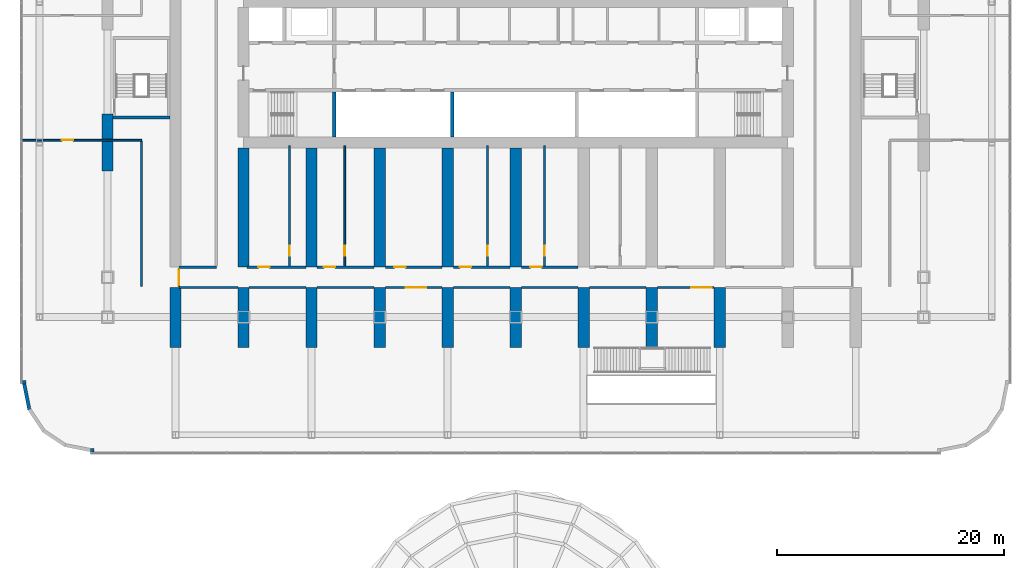
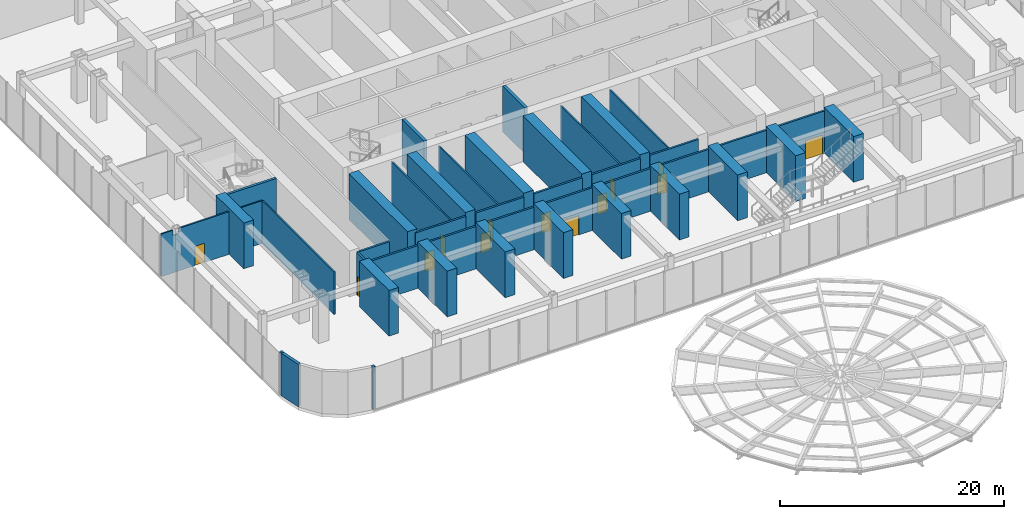
# One storey, part 14 of 37: 42 walls, 13 doors, 13 openings.
"""IFC4 building model written with IfcOpenShell, lengths in metres."""

from ifc_helpers import new_model, si_unit, direction, frame, frame_2d, origin, place, context, subcontext, project, spatial, polyline, rectangle, outline, extrude, material, layer, layer_set, type_object, element, fill, save


model = new_model("IFC4")

# Units and contexts
model_context = context("Model", 3, precision=1e-05, world=origin(), true_north=direction((0.0, 1.0)))
body_context = subcontext(model_context, "Body", "Model", "MODEL_VIEW")
ifc_project = project(units=[si_unit("LENGTHUNIT", "METRE"), si_unit("AREAUNIT", "SQUARE_METRE"), si_unit("VOLUMEUNIT", "CUBIC_METRE"), si_unit("PLANEANGLEUNIT", "RADIAN"), si_unit("MASSUNIT", "GRAM", prefix="KILO")], contexts=[model_context])

# Site, building, storey
site_placement = place(None, origin())
site = spatial("IfcSite", under=ifc_project, at=site_placement, CompositionType="ELEMENT")
building_placement = place(site_placement, origin())
building = spatial("IfcBuilding", under=site, at=building_placement, Name="Orbita Commons", CompositionType="ELEMENT")
storey_placement = place(building_placement, frame((0.0, 0.0, 6.0)))
storey = spatial("IfcBuildingStorey", under=building, at=storey_placement, Name="L01", CompositionType="ELEMENT", Elevation=6.0)

# Walls
ifc_material_1 = material(Name="Concrete C50/60", Category="concrete")
ifc_layer_1 = layer(ifc_material_1, 0.300048828125)
ifc_layer_set_1 = layer_set([ifc_layer_1], Name="Concrete C50/60")
wall_type_1 = type_object("IfcWallType", Name="Core inner wall 300 C50/60", PredefinedType="SHEAR", material=ifc_layer_set_1)
for number, where, z_axis, x_axis, name in (
    (1, (26.0, 26.300048828125, 0.0), (0.0, 0.0, 1.0), (0.0, 1.0, 0.0), "Stair S1 wall L01"),
    (2, (36.39990234375, 26.300048828125, 0.0), (0.0, 0.0, 1.0), (0.0, 1.0, 0.0), "Hoistway division wall L01"),
):
    element("IfcWall", number, at=place(storey_placement, frame(where, z_axis=z_axis, x_axis=x_axis)), inside=storey, type_object=wall_type_1, Name=name, PredefinedType="SHEAR", context=body_context, shape_type="SweptSolid", body=[
        extrude(rectangle(XDim=3.949951171875, YDim=0.300048828125, at=frame_2d((1.97509765625, 0.0))), origin(), (0.0, 0.0, 1.0), 5.0),
    ])
ifc_material_2 = material(Name="Concrete blockwork", Category="masonry")
ifc_layer_2 = layer(ifc_material_2, 0.199951171875)
ifc_layer_set_2 = layer_set([ifc_layer_2], Name="Concrete blockwork")
wall_type_2 = type_object("IfcWallType", Name="Corridor wall 200 blockwork", PredefinedType="SOLIDWALL", material=ifc_layer_set_2)
wall_1_placement = place(storey_placement, frame((12.300048828125, 13.0, 0.0), z_axis=(0.0, 0.0, 1.0), x_axis=(1.0, 0.0, 0.0)))
element("IfcWall", 3, at=wall_1_placement, inside=storey, type_object=wall_type_2, Name="Corridor wall 200 blockwork L01", PredefinedType="SOLIDWALL", context=body_context, shape_type="SweptSolid", body=[
    extrude(rectangle(XDim=5.199951171875, YDim=0.199951171875, at=frame_2d((2.60009765625, 0.0))), origin(), (0.0, 0.0, 1.0), 4.64990234375),
])
for number, where, z_axis, x_axis, name in (
    (4, (18.5, 13.0, 0.0), (0.0, 0.0, 1.0), (1.0, 0.0, 0.0), "Corridor wall 200 blockwork L01"),
    (5, (24.5, 13.0, 0.0), (0.0, 0.0, 1.0), (1.0, 0.0, 0.0), "Corridor wall 200 blockwork L01"),
):
    element("IfcWall", number, at=place(storey_placement, frame(where, z_axis=z_axis, x_axis=x_axis)), inside=storey, type_object=wall_type_2, Name=name, PredefinedType="SOLIDWALL", context=body_context, shape_type="SweptSolid", body=[
        extrude(rectangle(XDim=5.0, YDim=0.199951171875, at=frame_2d((2.5, 0.0))), origin(), (0.0, 0.0, 1.0), 4.64990234375),
    ])

# Wall, opening, door
wall_2_placement = place(storey_placement, frame((30.5, 13.0, 0.0), z_axis=(0.0, 0.0, 1.0), x_axis=(1.0, 0.0, 0.0)))
wall_2 = element("IfcWall", 6, at=wall_2_placement, inside=storey, type_object=wall_type_2, Name="Corridor wall 200 blockwork L01", PredefinedType="SOLIDWALL", context=body_context, shape_type="SweptSolid", body=[
    extrude(rectangle(XDim=5.0, YDim=0.199951171875, at=frame_2d((2.5, 0.0))), origin(), (0.0, 0.0, 1.0), 4.64990234375),
])
opening_1_placement = place(wall_2_placement, frame((1.800048828125, 0.0, 0.0)))
opening_1 = element("IfcOpeningElement", 7, at=opening_1_placement, cuts=wall_2, Name="Opening D07", PredefinedType="OPENING", context=body_context, shape_type="SweptSolid", body=[
    extrude(rectangle(XDim=1.800048828125, YDim=2.10009765625, at=frame_2d((0.89990234375, 1.050048828125))), frame((0.0, 0.10986328125, 0.0), z_axis=(0.0, -1.0, 0.0), x_axis=(1.0, 0.0, 0.0)), (0.0, 0.0, 1.0), 0.219970703125),
])
ifc_material_3 = material(Name="Steel-faced fire door leaf", Category="steel")
door_type_1 = type_object("IfcDoorType", Name="Double corridor door 20 min 1800x2100", OperationType="DOUBLE_DOOR_SINGLE_SWING", PredefinedType="DOOR", material=ifc_material_3)
door_1_placement = place(opening_1_placement, origin())
door_1 = element("IfcDoor", 8, at=door_1_placement, inside=storey, type_object=door_type_1, Name="Hall doors south", OperationType="DOUBLE_DOOR_SINGLE_SWING", OverallHeight=2.10009765625, OverallWidth=1.800048828125, PredefinedType="DOOR", context=body_context, shape_type="SweptSolid", body=[
    extrude(rectangle(XDim=1.800048828125, YDim=2.10009765625, at=frame_2d((0.89990234375, 1.050048828125))), frame((0.0, 0.02490234375, 0.0), z_axis=(0.0, -1.0, 0.0), x_axis=(1.0, 0.0, 0.0)), (0.0, 0.0, 1.0), 0.050048828125),
])
fill(opening_1, door_1)

# Walls
for number, where, z_axis, x_axis, name in (
    (9, (36.5, 13.0, 0.0), (0.0, 0.0, 1.0), (1.0, 0.0, 0.0), "Corridor wall 200 blockwork L01"),
    (10, (42.5, 13.0, 0.0), (0.0, 0.0, 1.0), (1.0, 0.0, 0.0), "Corridor wall 200 blockwork L01"),
    (11, (48.5, 13.0, 0.0), (0.0, 0.0, 1.0), (1.0, 0.0, 0.0), "Corridor wall 200 blockwork L01"),
):
    element("IfcWall", number, at=place(storey_placement, frame(where, z_axis=z_axis, x_axis=x_axis)), inside=storey, type_object=wall_type_2, Name=name, PredefinedType="SOLIDWALL", context=body_context, shape_type="SweptSolid", body=[
        extrude(rectangle(XDim=5.0, YDim=0.199951171875, at=frame_2d((2.5, 0.0))), origin(), (0.0, 0.0, 1.0), 4.64990234375),
    ])

# Wall, opening, door
wall_3_placement = place(storey_placement, frame((54.5, 13.0, 0.0), z_axis=(0.0, 0.0, 1.0), x_axis=(1.0, 0.0, 0.0)))
wall_3 = element("IfcWall", 12, at=wall_3_placement, inside=storey, type_object=wall_type_2, Name="Corridor wall 200 blockwork L01", PredefinedType="SOLIDWALL", context=body_context, shape_type="SweptSolid", body=[
    extrude(rectangle(XDim=5.0, YDim=0.199951171875, at=frame_2d((2.5, 0.0))), origin(), (0.0, 0.0, 1.0), 4.64990234375),
])
opening_2_placement = place(wall_3_placement, frame((3.0, 0.0, 0.0)))
opening_2 = element("IfcOpeningElement", 13, at=opening_2_placement, cuts=wall_3, Name="Opening D07", PredefinedType="OPENING", context=body_context, shape_type="SweptSolid", body=[
    extrude(rectangle(XDim=1.800048828125, YDim=2.10009765625, at=frame_2d((0.89990234375, 1.050048828125))), frame((0.0, 0.10986328125, 0.0), z_axis=(0.0, -1.0, 0.0), x_axis=(1.0, 0.0, 0.0)), (0.0, 0.0, 1.0), 0.219970703125),
])
door_2_placement = place(opening_2_placement, origin())
door_2 = element("IfcDoor", 14, at=door_2_placement, inside=storey, type_object=door_type_1, Name="Hall doors south", OperationType="DOUBLE_DOOR_SINGLE_SWING", OverallHeight=2.10009765625, OverallWidth=1.800048828125, PredefinedType="DOOR", context=body_context, shape_type="SweptSolid", body=[
    extrude(rectangle(XDim=1.800048828125, YDim=2.10009765625, at=frame_2d((0.89990234375, 1.050048828125))), frame((0.0, 0.02490234375, 0.0), z_axis=(0.0, -1.0, 0.0), x_axis=(1.0, 0.0, 0.0)), (0.0, 0.0, 1.0), 0.050048828125),
])
fill(opening_2, door_2)

# Wall
wall_4_placement = place(storey_placement, frame((12.300048828125, 14.800048828125, 0.0), z_axis=(0.0, 0.0, 1.0), x_axis=(1.0, 0.0, 0.0)))
element("IfcWall", 15, at=wall_4_placement, inside=storey, type_object=wall_type_2, Name="Corridor wall 200 blockwork L01", PredefinedType="SOLIDWALL", context=body_context, shape_type="SweptSolid", body=[
    extrude(rectangle(XDim=3.300048828125, YDim=0.199951171875, at=frame_2d((1.64990234375, 0.0))), origin(), (0.0, 0.0, 1.0), 4.64990234375),
])

# Wall, opening, door
wall_5_placement = place(storey_placement, frame((18.300048828125, 14.800048828125, 0.0), z_axis=(0.0, 0.0, 1.0), x_axis=(1.0, 0.0, 0.0)))
wall_5 = element("IfcWall", 16, at=wall_5_placement, inside=storey, type_object=wall_type_2, Name="Corridor wall 200 blockwork L01", PredefinedType="SOLIDWALL", context=body_context, shape_type="SweptSolid", body=[
    extrude(rectangle(XDim=5.199951171875, YDim=0.199951171875, at=frame_2d((2.60009765625, 0.0))), origin(), (0.0, 0.0, 1.0), 4.64990234375),
])
opening_3_placement = place(wall_5_placement, frame((1.0, 0.0, 0.0)))
opening_3 = element("IfcOpeningElement", 17, at=opening_3_placement, cuts=wall_5, Name="Opening D06", PredefinedType="OPENING", context=body_context, shape_type="SweptSolid", body=[
    extrude(rectangle(XDim=1.0, YDim=2.10009765625, at=frame_2d((0.5, 1.050048828125))), frame((0.0, 0.10986328125, 0.0), z_axis=(0.0, -1.0, 0.0), x_axis=(1.0, 0.0, 0.0)), (0.0, 0.0, 1.0), 0.219970703125),
])
ifc_material_4 = material(Name="Steel-faced fire door leaf", Category="steel")
door_type_2 = type_object("IfcDoorType", Name="Corridor door 20 min 1000x2100", OperationType="SINGLE_SWING_LEFT", PredefinedType="DOOR", material=ifc_material_4)
door_3_placement = place(opening_3_placement, origin())
door_3 = element("IfcDoor", 18, at=door_3_placement, inside=storey, type_object=door_type_2, Name="Room door", OperationType="SINGLE_SWING_LEFT", OverallHeight=2.10009765625, OverallWidth=1.0, PredefinedType="DOOR", context=body_context, shape_type="SweptSolid", body=[
    extrude(rectangle(XDim=1.0, YDim=2.10009765625, at=frame_2d((0.5, 1.050048828125))), frame((0.0, 0.02490234375, 0.0), z_axis=(0.0, -1.0, 0.0), x_axis=(1.0, 0.0, 0.0)), (0.0, 0.0, 1.0), 0.050048828125),
])
fill(opening_3, door_3)

wall_6_placement = place(storey_placement, frame((24.5, 14.800048828125, 0.0), z_axis=(0.0, 0.0, 1.0), x_axis=(1.0, 0.0, 0.0)))
wall_6 = element("IfcWall", 19, at=wall_6_placement, inside=storey, type_object=wall_type_2, Name="Corridor wall 200 blockwork L01", PredefinedType="SOLIDWALL", context=body_context, shape_type="SweptSolid", body=[
    extrude(rectangle(XDim=5.0, YDim=0.199951171875, at=frame_2d((2.5, 0.0))), origin(), (0.0, 0.0, 1.0), 4.64990234375),
])
opening_4_placement = place(wall_6_placement, frame((0.574951171875, 0.0, 0.0)))
opening_4 = element("IfcOpeningElement", 20, at=opening_4_placement, cuts=wall_6, Name="Opening D06", PredefinedType="OPENING", context=body_context, shape_type="SweptSolid", body=[
    extrude(rectangle(XDim=1.0, YDim=2.10009765625, at=frame_2d((0.5, 1.050048828125))), frame((0.0, 0.10986328125, 0.0), z_axis=(0.0, -1.0, 0.0), x_axis=(1.0, 0.0, 0.0)), (0.0, 0.0, 1.0), 0.219970703125),
])
door_4_placement = place(opening_4_placement, origin())
door_4 = element("IfcDoor", 21, at=door_4_placement, inside=storey, type_object=door_type_2, Name="Room door", OperationType="SINGLE_SWING_LEFT", OverallHeight=2.10009765625, OverallWidth=1.0, PredefinedType="DOOR", context=body_context, shape_type="SweptSolid", body=[
    extrude(rectangle(XDim=1.0, YDim=2.10009765625, at=frame_2d((0.5, 1.050048828125))), frame((0.0, 0.02490234375, 0.0), z_axis=(0.0, -1.0, 0.0), x_axis=(1.0, 0.0, 0.0)), (0.0, 0.0, 1.0), 0.050048828125),
])
fill(opening_4, door_4)

wall_7_placement = place(storey_placement, frame((30.5, 14.800048828125, 0.0), z_axis=(0.0, 0.0, 1.0), x_axis=(1.0, 0.0, 0.0)))
wall_7 = element("IfcWall", 22, at=wall_7_placement, inside=storey, type_object=wall_type_2, Name="Corridor wall 200 blockwork L01", PredefinedType="SOLIDWALL", context=body_context, shape_type="SweptSolid", body=[
    extrude(rectangle(XDim=5.0, YDim=0.199951171875, at=frame_2d((2.5, 0.0))), origin(), (0.0, 0.0, 1.0), 4.64990234375),
])
opening_5_placement = place(wall_7_placement, frame((0.800048828125, 0.0, 0.0)))
opening_5 = element("IfcOpeningElement", 23, at=opening_5_placement, cuts=wall_7, Name="Opening D06", PredefinedType="OPENING", context=body_context, shape_type="SweptSolid", body=[
    extrude(rectangle(XDim=1.0, YDim=2.10009765625, at=frame_2d((0.5, 1.050048828125))), frame((0.0, 0.10986328125, 0.0), z_axis=(0.0, -1.0, 0.0), x_axis=(1.0, 0.0, 0.0)), (0.0, 0.0, 1.0), 0.219970703125),
])
door_5_placement = place(opening_5_placement, origin())
door_5 = element("IfcDoor", 24, at=door_5_placement, inside=storey, type_object=door_type_2, Name="Room door", OperationType="SINGLE_SWING_LEFT", OverallHeight=2.10009765625, OverallWidth=1.0, PredefinedType="DOOR", context=body_context, shape_type="SweptSolid", body=[
    extrude(rectangle(XDim=1.0, YDim=2.10009765625, at=frame_2d((0.5, 1.050048828125))), frame((0.0, 0.02490234375, 0.0), z_axis=(0.0, -1.0, 0.0), x_axis=(1.0, 0.0, 0.0)), (0.0, 0.0, 1.0), 0.050048828125),
])
fill(opening_5, door_5)

wall_8_placement = place(storey_placement, frame((36.5, 14.800048828125, 0.0), z_axis=(0.0, 0.0, 1.0), x_axis=(1.0, 0.0, 0.0)))
wall_8 = element("IfcWall", 25, at=wall_8_placement, inside=storey, type_object=wall_type_2, Name="Corridor wall 200 blockwork L01", PredefinedType="SOLIDWALL", context=body_context, shape_type="SweptSolid", body=[
    extrude(rectangle(XDim=5.0, YDim=0.199951171875, at=frame_2d((2.5, 0.0))), origin(), (0.0, 0.0, 1.0), 4.64990234375),
])
opening_6_placement = place(wall_8_placement, frame((0.574951171875, 0.0, 0.0)))
opening_6 = element("IfcOpeningElement", 26, at=opening_6_placement, cuts=wall_8, Name="Opening D06", PredefinedType="OPENING", context=body_context, shape_type="SweptSolid", body=[
    extrude(rectangle(XDim=1.0, YDim=2.10009765625, at=frame_2d((0.5, 1.050048828125))), frame((0.0, 0.10986328125, 0.0), z_axis=(0.0, -1.0, 0.0), x_axis=(1.0, 0.0, 0.0)), (0.0, 0.0, 1.0), 0.219970703125),
])
door_6_placement = place(opening_6_placement, origin())
door_6 = element("IfcDoor", 27, at=door_6_placement, inside=storey, type_object=door_type_2, Name="Room door", OperationType="SINGLE_SWING_LEFT", OverallHeight=2.10009765625, OverallWidth=1.0, PredefinedType="DOOR", context=body_context, shape_type="SweptSolid", body=[
    extrude(rectangle(XDim=1.0, YDim=2.10009765625, at=frame_2d((0.5, 1.050048828125))), frame((0.0, 0.02490234375, 0.0), z_axis=(0.0, -1.0, 0.0), x_axis=(1.0, 0.0, 0.0)), (0.0, 0.0, 1.0), 0.050048828125),
])
fill(opening_6, door_6)

wall_9_placement = place(storey_placement, frame((42.5, 14.800048828125, 0.0), z_axis=(0.0, 0.0, 1.0), x_axis=(1.0, 0.0, 0.0)))
wall_9 = element("IfcWall", 28, at=wall_9_placement, inside=storey, type_object=wall_type_2, Name="Corridor wall 200 blockwork L01", PredefinedType="SOLIDWALL", context=body_context, shape_type="SweptSolid", body=[
    extrude(rectangle(XDim=5.0, YDim=0.199951171875, at=frame_2d((2.5, 0.0))), origin(), (0.0, 0.0, 1.0), 4.64990234375),
])
opening_7_placement = place(wall_9_placement, frame((0.800048828125, 0.0, 0.0)))
opening_7 = element("IfcOpeningElement", 29, at=opening_7_placement, cuts=wall_9, Name="Opening D06", PredefinedType="OPENING", context=body_context, shape_type="SweptSolid", body=[
    extrude(rectangle(XDim=1.0, YDim=2.10009765625, at=frame_2d((0.5, 1.050048828125))), frame((0.0, 0.10986328125, 0.0), z_axis=(0.0, -1.0, 0.0), x_axis=(1.0, 0.0, 0.0)), (0.0, 0.0, 1.0), 0.219970703125),
])
door_7_placement = place(opening_7_placement, origin())
door_7 = element("IfcDoor", 30, at=door_7_placement, inside=storey, type_object=door_type_2, Name="Room door", OperationType="SINGLE_SWING_LEFT", OverallHeight=2.10009765625, OverallWidth=1.0, PredefinedType="DOOR", context=body_context, shape_type="SweptSolid", body=[
    extrude(rectangle(XDim=1.0, YDim=2.10009765625, at=frame_2d((0.5, 1.050048828125))), frame((0.0, 0.02490234375, 0.0), z_axis=(0.0, -1.0, 0.0), x_axis=(1.0, 0.0, 0.0)), (0.0, 0.0, 1.0), 0.050048828125),
])
fill(opening_7, door_7)

wall_10_placement = place(storey_placement, frame((12.300048828125, 13.10009765625, 0.0), z_axis=(0.0, 0.0, 1.0), x_axis=(0.0, 1.0, 0.0)))
wall_10 = element("IfcWall", 31, at=wall_10_placement, inside=storey, type_object=wall_type_2, Name="Corridor wall 200 blockwork L01", PredefinedType="SOLIDWALL", context=body_context, shape_type="SweptSolid", body=[
    extrude(rectangle(XDim=1.599853515625, YDim=0.199951171875, at=frame_2d((0.7998046875, 0.0))), origin(), (0.0, 0.0, 1.0), 4.64990234375),
])
opening_8_placement = place(wall_10_placement, frame((0.10009765625, 0.0, 0.0)))
opening_8 = element("IfcOpeningElement", 32, at=opening_8_placement, cuts=wall_10, Name="Opening D08", PredefinedType="OPENING", context=body_context, shape_type="SweptSolid", body=[
    extrude(rectangle(XDim=1.39990234375, YDim=2.10009765625, at=frame_2d((0.699951171875, 1.050048828125))), frame((0.0, 0.10986328125, 0.0), z_axis=(0.0, -1.0, 0.0), x_axis=(1.0, 0.0, 0.0)), (0.0, 0.0, 1.0), 0.219970703125),
])
ifc_material_5 = material(Name="Steel-faced fire door leaf", Category="steel")
door_type_3 = type_object("IfcDoorType", Name="Double corridor door 20 min 1400x2100", OperationType="DOUBLE_DOOR_SINGLE_SWING", PredefinedType="DOOR", material=ifc_material_5)
door_8_placement = place(opening_8_placement, origin())
door_8 = element("IfcDoor", 33, at=door_8_placement, inside=storey, type_object=door_type_3, Name="End room doors", OperationType="DOUBLE_DOOR_SINGLE_SWING", OverallHeight=2.10009765625, OverallWidth=1.39990234375, PredefinedType="DOOR", context=body_context, shape_type="SweptSolid", body=[
    extrude(rectangle(XDim=1.39990234375, YDim=2.10009765625, at=frame_2d((0.699951171875, 1.050048828125))), frame((0.0, 0.02490234375, 0.0), z_axis=(0.0, -1.0, 0.0), x_axis=(1.0, 0.0, 0.0)), (0.0, 0.0, 1.0), 0.050048828125),
])
fill(opening_8, door_8)

# Walls
ifc_material_6 = material(Name="Concrete C50/60", Category="concrete")
ifc_layer_3 = layer(ifc_material_6, 1.0)
ifc_layer_set_3 = layer_set([ifc_layer_3], Name="Concrete C50/60")
wall_type_3 = type_object("IfcWallType", Name="Cross wall 1000 C50/60", PredefinedType="SHEAR", material=ifc_layer_set_3)
for number, where, z_axis, x_axis, name in (
    (34, (12.0, 7.699951171875, 0.0), (0.0, 0.0, 1.0), (0.0, 1.0, 0.0), "Cross wall 3 south outer L01"),
    (35, (18.0, 7.699951171875, 0.0), (0.0, 0.0, 1.0), (0.0, 1.0, 0.0), "Cross wall 4 south outer L01"),
):
    element("IfcWall", number, at=place(storey_placement, frame(where, z_axis=z_axis, x_axis=x_axis)), inside=storey, type_object=wall_type_3, Name=name, PredefinedType="SHEAR", context=body_context, shape_type="SweptSolid", body=[
        extrude(rectangle(XDim=5.300048828125, YDim=1.0, at=frame_2d((2.64990234375, 0.0))), origin(), (0.0, 0.0, 1.0), 5.0),
    ])
wall_11_placement = place(storey_placement, frame((18.0, 14.800048828125, 0.0), z_axis=(0.0, 0.0, 1.0), x_axis=(0.0, 1.0, 0.0)))
element("IfcWall", 36, at=wall_11_placement, inside=storey, type_object=wall_type_3, Name="Cross wall 4 south inner L01", PredefinedType="SHEAR", context=body_context, shape_type="SweptSolid", body=[
    extrude(rectangle(XDim=10.5, YDim=1.0, at=frame_2d((5.25, 0.0))), origin(), (0.0, 0.0, 1.0), 5.0),
])
wall_12_placement = place(storey_placement, frame((24.0, 7.699951171875, 0.0), z_axis=(0.0, 0.0, 1.0), x_axis=(0.0, 1.0, 0.0)))
element("IfcWall", 37, at=wall_12_placement, inside=storey, type_object=wall_type_3, Name="Cross wall 5 south outer L01", PredefinedType="SHEAR", context=body_context, shape_type="SweptSolid", body=[
    extrude(rectangle(XDim=5.300048828125, YDim=1.0, at=frame_2d((2.64990234375, 0.0))), origin(), (0.0, 0.0, 1.0), 5.0),
])
wall_13_placement = place(storey_placement, frame((24.0, 14.800048828125, 0.0), z_axis=(0.0, 0.0, 1.0), x_axis=(0.0, 1.0, 0.0)))
element("IfcWall", 38, at=wall_13_placement, inside=storey, type_object=wall_type_3, Name="Cross wall 5 south inner L01", PredefinedType="SHEAR", context=body_context, shape_type="SweptSolid", body=[
    extrude(rectangle(XDim=10.5, YDim=1.0, at=frame_2d((5.25, 0.0))), origin(), (0.0, 0.0, 1.0), 5.0),
])
wall_14_placement = place(storey_placement, frame((30.0, 7.699951171875, 0.0), z_axis=(0.0, 0.0, 1.0), x_axis=(0.0, 1.0, 0.0)))
element("IfcWall", 39, at=wall_14_placement, inside=storey, type_object=wall_type_3, Name="Cross wall 6 south outer L01", PredefinedType="SHEAR", context=body_context, shape_type="SweptSolid", body=[
    extrude(rectangle(XDim=5.300048828125, YDim=1.0, at=frame_2d((2.64990234375, 0.0))), origin(), (0.0, 0.0, 1.0), 5.0),
])
wall_15_placement = place(storey_placement, frame((30.0, 14.800048828125, 0.0), z_axis=(0.0, 0.0, 1.0), x_axis=(0.0, 1.0, 0.0)))
element("IfcWall", 40, at=wall_15_placement, inside=storey, type_object=wall_type_3, Name="Cross wall 6 south inner L01", PredefinedType="SHEAR", context=body_context, shape_type="SweptSolid", body=[
    extrude(rectangle(XDim=10.5, YDim=1.0, at=frame_2d((5.25, 0.0))), origin(), (0.0, 0.0, 1.0), 5.0),
])
wall_16_placement = place(storey_placement, frame((36.0, 7.699951171875, 0.0), z_axis=(0.0, 0.0, 1.0), x_axis=(0.0, 1.0, 0.0)))
element("IfcWall", 41, at=wall_16_placement, inside=storey, type_object=wall_type_3, Name="Cross wall 7 south outer L01", PredefinedType="SHEAR", context=body_context, shape_type="SweptSolid", body=[
    extrude(rectangle(XDim=5.300048828125, YDim=1.0, at=frame_2d((2.64990234375, 0.0))), origin(), (0.0, 0.0, 1.0), 5.0),
])
wall_17_placement = place(storey_placement, frame((36.0, 14.800048828125, 0.0), z_axis=(0.0, 0.0, 1.0), x_axis=(0.0, 1.0, 0.0)))
element("IfcWall", 42, at=wall_17_placement, inside=storey, type_object=wall_type_3, Name="Cross wall 7 south inner L01", PredefinedType="SHEAR", context=body_context, shape_type="SweptSolid", body=[
    extrude(rectangle(XDim=10.5, YDim=1.0, at=frame_2d((5.25, 0.0))), origin(), (0.0, 0.0, 1.0), 5.0),
])
wall_18_placement = place(storey_placement, frame((42.0, 7.699951171875, 0.0), z_axis=(0.0, 0.0, 1.0), x_axis=(0.0, 1.0, 0.0)))
element("IfcWall", 43, at=wall_18_placement, inside=storey, type_object=wall_type_3, Name="Cross wall 8 south outer L01", PredefinedType="SHEAR", context=body_context, shape_type="SweptSolid", body=[
    extrude(rectangle(XDim=5.300048828125, YDim=1.0, at=frame_2d((2.64990234375, 0.0))), origin(), (0.0, 0.0, 1.0), 5.0),
])
wall_19_placement = place(storey_placement, frame((42.0, 14.800048828125, 0.0), z_axis=(0.0, 0.0, 1.0), x_axis=(0.0, 1.0, 0.0)))
element("IfcWall", 44, at=wall_19_placement, inside=storey, type_object=wall_type_3, Name="Cross wall 8 south inner L01", PredefinedType="SHEAR", context=body_context, shape_type="SweptSolid", body=[
    extrude(rectangle(XDim=10.5, YDim=1.0, at=frame_2d((5.25, 0.0))), origin(), (0.0, 0.0, 1.0), 5.0),
])
for number, where, z_axis, x_axis, name in (
    (45, (48.0, 7.699951171875, 0.0), (0.0, 0.0, 1.0), (0.0, 1.0, 0.0), "Cross wall 9 south outer L01"),
    (46, (54.0, 7.699951171875, 0.0), (0.0, 0.0, 1.0), (0.0, 1.0, 0.0), "Cross wall 10 south outer L01"),
    (47, (60.0, 7.699951171875, 0.0), (0.0, 0.0, 1.0), (0.0, 1.0, 0.0), "Cross wall 11 south outer L01"),
):
    element("IfcWall", number, at=place(storey_placement, frame(where, z_axis=z_axis, x_axis=x_axis)), inside=storey, type_object=wall_type_3, Name=name, PredefinedType="SHEAR", context=body_context, shape_type="SweptSolid", body=[
        extrude(rectangle(XDim=5.300048828125, YDim=1.0, at=frame_2d((2.64990234375, 0.0))), origin(), (0.0, 0.0, 1.0), 5.0),
    ])
ifc_material_7 = material(Name="Concrete C50/60", Category="concrete")
ifc_layer_4 = layer(ifc_material_7, 1.0)
ifc_layer_set_4 = layer_set([ifc_layer_4], Name="Concrete C50/60")
wall_type_4 = type_object("IfcWallType", Name="End pier 1000x5000 C50/60", PredefinedType="SHEAR", material=ifc_layer_set_4)
wall_20_placement = place(storey_placement, frame((6.0, 23.300048828125, 0.0), z_axis=(0.0, 0.0, 1.0), x_axis=(0.0, 1.0, 0.0)))
element("IfcWall", 48, at=wall_20_placement, inside=storey, type_object=wall_type_4, Name="End pier 2/C L01", PredefinedType="SHEAR", context=body_context, shape_type="SweptSolid", body=[
    extrude(rectangle(XDim=5.0, YDim=1.0, at=frame_2d((2.5, 0.0))), origin(), (0.0, 0.0, 1.0), 5.0),
])

# Wall, opening, door
ifc_material_8 = material(Name="Gypsum plasterboard on steel studs", Category="steel")
ifc_layer_5 = layer(ifc_material_8, 0.14990234375)
ifc_layer_set_5 = layer_set([ifc_layer_5], Name="Gypsum plasterboard on steel studs")
wall_type_5 = type_object("IfcWallType", Name="Partition 150 plasterboard", PredefinedType="PARTITIONING", material=ifc_layer_set_5)
wall_21_placement = place(storey_placement, frame((22.050048828125, 14.800048828125, 0.0), z_axis=(0.0, 0.0, 1.0), x_axis=(0.0, 1.0, 0.0)))
wall_21 = element("IfcWall", 49, at=wall_21_placement, inside=storey, type_object=wall_type_5, Name="Partition 150 plasterboard L01", PredefinedType="PARTITIONING", context=body_context, shape_type="SweptSolid", body=[
    extrude(rectangle(XDim=10.699951171875, YDim=0.14990234375, at=frame_2d((5.35009765625, 0.0))), origin(), (0.0, 0.0, 1.0), 4.64990234375),
])
opening_9_placement = place(wall_21_placement, frame((1.0, 0.0, 0.0)))
opening_9 = element("IfcOpeningElement", 50, at=opening_9_placement, cuts=wall_21, Name="Opening D09", PredefinedType="OPENING", context=body_context, shape_type="SweptSolid", body=[
    extrude(rectangle(XDim=0.89990234375, YDim=2.10009765625, at=frame_2d((0.449951171875, 1.050048828125))), frame((0.0, 0.0849609375, 0.0), z_axis=(0.0, -1.0, 0.0), x_axis=(1.0, 0.0, 0.0)), (0.0, 0.0, 1.0), 0.169921875),
])
ifc_material_9 = material(Name="Laminated timber door leaf", Category="wood")
door_type_4 = type_object("IfcDoorType", Name="En-suite door 900x2100", OperationType="SINGLE_SWING_RIGHT", PredefinedType="DOOR", material=ifc_material_9)
door_9_placement = place(opening_9_placement, origin())
door_9 = element("IfcDoor", 51, at=door_9_placement, inside=storey, type_object=door_type_4, Name="Food hall servery store L01 door", OperationType="SINGLE_SWING_RIGHT", OverallHeight=2.10009765625, OverallWidth=0.89990234375, PredefinedType="DOOR", context=body_context, shape_type="SweptSolid", body=[
    extrude(rectangle(XDim=0.89990234375, YDim=2.10009765625, at=frame_2d((0.449951171875, 1.050048828125))), frame((0.0, 0.02490234375, 0.0), z_axis=(0.0, -1.0, 0.0), x_axis=(1.0, 0.0, 0.0)), (0.0, 0.0, 1.0), 0.050048828125),
])
fill(opening_9, door_9)

wall_22_placement = place(storey_placement, frame((26.925048828125, 14.800048828125, 0.0), z_axis=(0.0, 0.0, 1.0), x_axis=(0.0, 1.0, 0.0)))
wall_22 = element("IfcWall", 52, at=wall_22_placement, inside=storey, type_object=wall_type_5, Name="Partition 150 plasterboard L01", PredefinedType="PARTITIONING", context=body_context, shape_type="SweptSolid", body=[
    extrude(rectangle(XDim=10.699951171875, YDim=0.14990234375, at=frame_2d((5.35009765625, 0.0))), origin(), (0.0, 0.0, 1.0), 4.64990234375),
])
opening_10_placement = place(wall_22_placement, frame((1.0, 0.0, 0.0)))
opening_10 = element("IfcOpeningElement", 53, at=opening_10_placement, cuts=wall_22, Name="Opening D09", PredefinedType="OPENING", context=body_context, shape_type="SweptSolid", body=[
    extrude(rectangle(XDim=0.89990234375, YDim=2.10009765625, at=frame_2d((0.449951171875, 1.050048828125))), frame((0.0, 0.0849609375, 0.0), z_axis=(0.0, -1.0, 0.0), x_axis=(1.0, 0.0, 0.0)), (0.0, 0.0, 1.0), 0.169921875),
])
door_10_placement = place(opening_10_placement, origin())
door_10 = element("IfcDoor", 54, at=door_10_placement, inside=storey, type_object=door_type_4, Name="Food hall furniture store L01 door", OperationType="SINGLE_SWING_RIGHT", OverallHeight=2.10009765625, OverallWidth=0.89990234375, PredefinedType="DOOR", context=body_context, shape_type="SweptSolid", body=[
    extrude(rectangle(XDim=0.89990234375, YDim=2.10009765625, at=frame_2d((0.449951171875, 1.050048828125))), frame((0.0, 0.02490234375, 0.0), z_axis=(0.0, -1.0, 0.0), x_axis=(1.0, 0.0, 0.0)), (0.0, 0.0, 1.0), 0.050048828125),
])
fill(opening_10, door_10)

wall_23_placement = place(storey_placement, frame((39.52490234375, 14.800048828125, 0.0), z_axis=(0.0, 0.0, 1.0), x_axis=(0.0, 1.0, 0.0)))
wall_23 = element("IfcWall", 55, at=wall_23_placement, inside=storey, type_object=wall_type_5, Name="Partition 150 plasterboard L01", PredefinedType="PARTITIONING", context=body_context, shape_type="SweptSolid", body=[
    extrude(rectangle(XDim=10.699951171875, YDim=0.14990234375, at=frame_2d((5.35009765625, 0.0))), origin(), (0.0, 0.0, 1.0), 4.64990234375),
])
opening_11_placement = place(wall_23_placement, frame((1.0, 0.0, 0.0)))
opening_11 = element("IfcOpeningElement", 56, at=opening_11_placement, cuts=wall_23, Name="Opening D09", PredefinedType="OPENING", context=body_context, shape_type="SweptSolid", body=[
    extrude(rectangle(XDim=0.89990234375, YDim=2.10009765625, at=frame_2d((0.449951171875, 1.050048828125))), frame((0.0, 0.0849609375, 0.0), z_axis=(0.0, -1.0, 0.0), x_axis=(1.0, 0.0, 0.0)), (0.0, 0.0, 1.0), 0.169921875),
])
door_11_placement = place(opening_11_placement, origin())
door_11 = element("IfcDoor", 57, at=door_11_placement, inside=storey, type_object=door_type_4, Name="Stationery store L01 door", OperationType="SINGLE_SWING_RIGHT", OverallHeight=2.10009765625, OverallWidth=0.89990234375, PredefinedType="DOOR", context=body_context, shape_type="SweptSolid", body=[
    extrude(rectangle(XDim=0.89990234375, YDim=2.10009765625, at=frame_2d((0.449951171875, 1.050048828125))), frame((0.0, 0.02490234375, 0.0), z_axis=(0.0, -1.0, 0.0), x_axis=(1.0, 0.0, 0.0)), (0.0, 0.0, 1.0), 0.050048828125),
])
fill(opening_11, door_11)

wall_24_placement = place(storey_placement, frame((44.550048828125, 14.800048828125, 0.0), z_axis=(0.0, 0.0, 1.0), x_axis=(0.0, 1.0, 0.0)))
wall_24 = element("IfcWall", 58, at=wall_24_placement, inside=storey, type_object=wall_type_5, Name="Partition 150 plasterboard L01", PredefinedType="PARTITIONING", context=body_context, shape_type="SweptSolid", body=[
    extrude(rectangle(XDim=10.699951171875, YDim=0.14990234375, at=frame_2d((5.35009765625, 0.0))), origin(), (0.0, 0.0, 1.0), 4.64990234375),
])
opening_12_placement = place(wall_24_placement, frame((1.0, 0.0, 0.0)))
opening_12 = element("IfcOpeningElement", 59, at=opening_12_placement, cuts=wall_24, Name="Opening D09", PredefinedType="OPENING", context=body_context, shape_type="SweptSolid", body=[
    extrude(rectangle(XDim=0.89990234375, YDim=2.10009765625, at=frame_2d((0.449951171875, 1.050048828125))), frame((0.0, 0.0849609375, 0.0), z_axis=(0.0, -1.0, 0.0), x_axis=(1.0, 0.0, 0.0)), (0.0, 0.0, 1.0), 0.169921875),
])
door_12_placement = place(opening_12_placement, origin())
door_12 = element("IfcDoor", 60, at=door_12_placement, inside=storey, type_object=door_type_4, Name="Furniture store L01 door", OperationType="SINGLE_SWING_RIGHT", OverallHeight=2.10009765625, OverallWidth=0.89990234375, PredefinedType="DOOR", context=body_context, shape_type="SweptSolid", body=[
    extrude(rectangle(XDim=0.89990234375, YDim=2.10009765625, at=frame_2d((0.449951171875, 1.050048828125))), frame((0.0, 0.02490234375, 0.0), z_axis=(0.0, -1.0, 0.0), x_axis=(1.0, 0.0, 0.0)), (0.0, 0.0, 1.0), 0.050048828125),
])
fill(opening_12, door_12)

wall_25_placement = place(storey_placement, frame((-1.489990234375, 26.0, 0.0), z_axis=(0.0, 0.0, 1.0), x_axis=(1.0, 0.0, 0.0)))
wall_25 = element("IfcWall", 61, at=wall_25_placement, inside=storey, type_object=wall_type_5, Name="Partition 150 plasterboard L01", PredefinedType="PARTITIONING", context=body_context, shape_type="SweptSolid", body=[
    extrude(outline(polyline([(0.0, 0.0), (10.489990234375, 0.0), (10.489990234375, 4.64990234375), (1.7919921875, 4.64990234375), (1.7900390625, 4.050048828125), (1.19189453125, 4.050048828125), (1.18994140625, 4.64990234375), (0.0, 4.64990234375), (0.0, 0.0)])), frame((0.0, 0.074951171875, 0.0), z_axis=(0.0, -1.0, 0.0), x_axis=(1.0, 0.0, 0.0)), (0.0, 0.0, 1.0), 0.14990234375),
])
opening_13_placement = place(wall_25_placement, frame((3.469970703125, 0.0, 0.0)))
opening_13 = element("IfcOpeningElement", 62, at=opening_13_placement, cuts=wall_25, Name="Opening D06", PredefinedType="OPENING", context=body_context, shape_type="SweptSolid", body=[
    extrude(rectangle(XDim=1.0, YDim=2.10009765625, at=frame_2d((0.5, 1.050048828125))), frame((0.0, 0.0849609375, 0.0), z_axis=(0.0, -1.0, 0.0), x_axis=(1.0, 0.0, 0.0)), (0.0, 0.0, 1.0), 0.169921875),
])
door_13_placement = place(opening_13_placement, origin())
door_13 = element("IfcDoor", 63, at=door_13_placement, inside=storey, type_object=door_type_2, Name="Gym office and staff room door", OperationType="SINGLE_SWING_LEFT", OverallHeight=2.10009765625, OverallWidth=1.0, PredefinedType="DOOR", context=body_context, shape_type="SweptSolid", body=[
    extrude(rectangle(XDim=1.0, YDim=2.10009765625, at=frame_2d((0.5, 1.050048828125))), frame((0.0, 0.02490234375, 0.0), z_axis=(0.0, -1.0, 0.0), x_axis=(1.0, 0.0, 0.0)), (0.0, 0.0, 1.0), 0.050048828125),
])
fill(opening_13, door_13)

# Walls
wall_26_placement = place(storey_placement, frame((9.0, 13.10009765625, 0.0), z_axis=(0.0, 0.0, 1.0), x_axis=(0.0, 1.0, 0.0)))
element("IfcWall", 64, at=wall_26_placement, inside=storey, type_object=wall_type_5, Name="Partition 150 plasterboard L01", PredefinedType="PARTITIONING", context=body_context, shape_type="SweptSolid", body=[
    extrude(rectangle(XDim=12.824951171875, YDim=0.14990234375, at=frame_2d((6.41259765625, 0.0))), origin(), (0.0, 0.0, 1.0), 4.64990234375),
])
ifc_material_10 = material(Name="Concrete C50/60", Category="concrete")
ifc_layer_6 = layer(ifc_material_10, 0.25)
ifc_layer_set_6 = layer_set([ifc_layer_6], Name="Concrete C50/60")
wall_type_6 = type_object("IfcWallType", Name="Podium stair wall 250 RC", PredefinedType="SHEAR", material=ifc_layer_set_6)
wall_27_placement = place(storey_placement, frame((6.47509765625, 28.0, 0.0), z_axis=(0.0, 0.0, 1.0), x_axis=(1.0, 0.0, 0.0)))
element("IfcWall", 65, at=wall_27_placement, inside=storey, type_object=wall_type_6, Name="Podium stair PS1 wall s L01", PredefinedType="SHEAR", context=body_context, shape_type="SweptSolid", body=[
    extrude(rectangle(XDim=5.0498046875, YDim=0.25, at=frame_2d((2.52490234375, 0.0))), origin(), (0.0, 0.0, 1.0), 5.0),
])
ifc_material_11 = material(Name="Precast concrete C40/50, white board-marked finish", Category="concrete")
ifc_layer_7 = layer(ifc_material_11, 0.300048828125)
ifc_layer_set_7 = layer_set([ifc_layer_7], Name="Precast concrete C40/50, white board-marked finish")
wall_type_7 = type_object("IfcWallType", Name="Precast concrete end shield 300", PredefinedType="SOLIDWALL", material=ifc_layer_set_7)
wall_28_placement = place(storey_placement, frame((-1.35009765625, 4.5, 0.0), z_axis=(0.0, 0.0, 1.0), x_axis=(0.195087604935, -0.98078582086, 0.0)))
element("IfcWall", 66, at=wall_28_placement, inside=storey, type_object=wall_type_7, Name="Podium corner wall SW 1 L01", PredefinedType="SOLIDWALL", context=body_context, shape_type="SweptSolid", body=[
    extrude(outline(polyline([(-0.014892578125, -0.14990234375), (2.3125, -0.14990234375), (2.2529296875, 0.14990234375), (0.014892578125, 0.14990234375), (-0.014892578125, -0.14990234375)])), origin(), (0.0, 0.0, 1.0), 4.64990234375),
])
for number, where, z_axis, x_axis, name in (
    (67, (4.5, -1.35009765625, 0.0), (0.0, 0.0, 1.0), (1.0, 0.0, 0.0), "Podium corner wall jamb S2 L01"),
    (68, (-1.35009765625, 4.5, 0.0), (0.0, 0.0, 1.0), (0.0, 1.0, 0.0), "Podium corner wall jamb W1 L01"),
):
    element("IfcWall", number, at=place(storey_placement, frame(where, z_axis=z_axis, x_axis=x_axis)), inside=storey, type_object=wall_type_7, Name=name, PredefinedType="SOLIDWALL", context=body_context, shape_type="SweptSolid", body=[
        extrude(rectangle(XDim=0.300048828125, YDim=0.300048828125, at=frame_2d((0.14990234375, 0.0))), origin(), (0.0, 0.0, 1.0), 4.64990234375),
    ])

save(model, "model.ifc")
